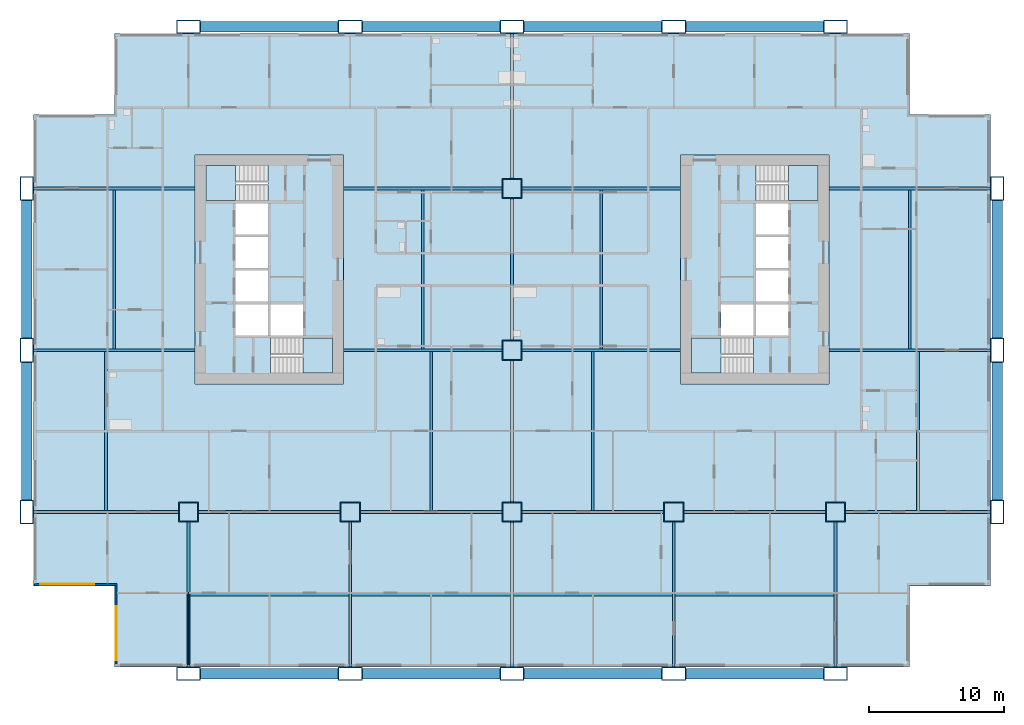
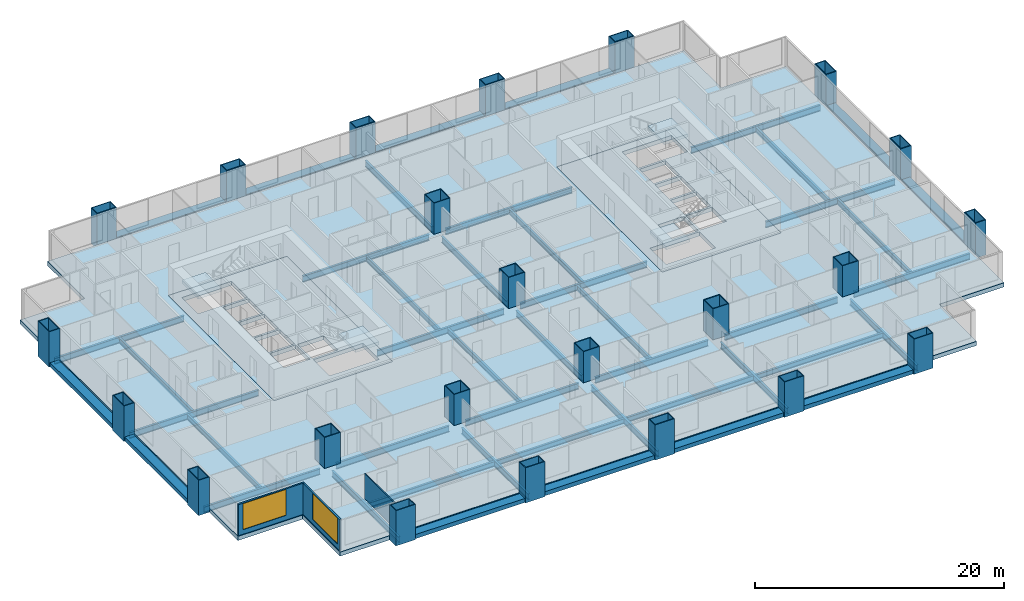
# One storey, part 1 of 13: 46 beams, 23 columns, 7 slabs, 3 walls, 2 windows, 2 openings, 4 elements without a shape of their own.
"""IFC4 building model written with IfcOpenShell, lengths in metres."""

from ifc_helpers import new_model, si_unit, direction, frame, frame_2d, origin, origin_2d, place, context, subcontext, project, spatial, polyline, rectangle, hollow_rectangle, i_section, outline, extrude, material, layer, layer_set, material_profile, profile_set, type_object, element, fill, aggregate, save


model = new_model("IFC4")

# Units and contexts
model_context = context("Model", 3, precision=1e-05, world=origin(), true_north=direction((0.0, 1.0)))
body_context = subcontext(model_context, "Body", "Model", "MODEL_VIEW")
ifc_project = project(units=[si_unit("LENGTHUNIT", "METRE"), si_unit("AREAUNIT", "SQUARE_METRE"), si_unit("VOLUMEUNIT", "CUBIC_METRE"), si_unit("PLANEANGLEUNIT", "RADIAN"), si_unit("MASSUNIT", "GRAM", prefix="KILO")], contexts=[model_context])

# Site, building, storey
site_placement = place(None, origin())
site = spatial("IfcSite", under=ifc_project, at=site_placement, CompositionType="ELEMENT")
building_placement = place(site_placement, origin())
building = spatial("IfcBuilding", under=site, at=building_placement, Name="Kitamizu Gate Tower and Museum", CompositionType="ELEMENT")
storey_placement = place(building_placement, frame((0.0, 0.0, 36.89990234375)))
storey = spatial("IfcBuildingStorey", under=building, at=storey_placement, Name="L07", CompositionType="ELEMENT", Elevation=36.89990234375)

# Columns
ifc_material_1 = material(Name="Steel SM490A bronze coated", Category="steel")
ifc_material_profile_1 = material_profile(ifc_material_1, hollow_rectangle(XDim=1.800048828125, YDim=1.0, WallThickness=0.070068359375, at=origin_2d()), Name="BOX 1800x1000x70")
ifc_profile_set_1 = profile_set([ifc_material_profile_1], Name="Steel SM490A bronze coated")
column_type_1 = type_object("IfcColumnType", Name="Exoskeleton column XC2 BOX 1800x1000x70", PredefinedType="COLUMN", material=ifc_profile_set_1)
for number, where, z_axis, x_axis, name in (
    (1, (0.0, 12.0, -0.39990234375), (0.0, 0.0, 1.0), (0.0, 1.0, 0.0), "Column XC2 1B L07"),
    (2, (0.0, 24.0, -0.39990234375), (0.0, 0.0, 1.0), (0.0, 1.0, 0.0), "Column XC2 1C L07"),
    (3, (0.0, 36.0, -0.39990234375), (0.0, 0.0, 1.0), (0.0, 1.0, 0.0), "Column XC2 1D L07"),
    (4, (12.0, 0.0, -0.39990234375), (0.0, 0.0, 1.0), (1.0, 0.0, 0.0), "Column XC2 2A L07"),
    (5, (12.0, 48.0, -0.39990234375), (0.0, 0.0, 1.0), (1.0, 0.0, 0.0), "Column XC2 2E L07"),
    (6, (24.0, 0.0, -0.39990234375), (0.0, 0.0, 1.0), (1.0, 0.0, 0.0), "Column XC2 3A L07"),
    (7, (24.0, 48.0, -0.39990234375), (0.0, 0.0, 1.0), (1.0, 0.0, 0.0), "Column XC2 3E L07"),
    (8, (36.0, 0.0, -0.39990234375), (0.0, 0.0, 1.0), (1.0, 0.0, 0.0), "Column XC2 4A L07"),
    (9, (36.0, 48.0, -0.39990234375), (0.0, 0.0, 1.0), (1.0, 0.0, 0.0), "Column XC2 4E L07"),
    (10, (48.0, 0.0, -0.39990234375), (0.0, 0.0, 1.0), (1.0, 0.0, 0.0), "Column XC2 5A L07"),
    (11, (48.0, 48.0, -0.39990234375), (0.0, 0.0, 1.0), (1.0, 0.0, 0.0), "Column XC2 5E L07"),
    (12, (60.0, 0.0, -0.39990234375), (0.0, 0.0, 1.0), (1.0, 0.0, 0.0), "Column XC2 6A L07"),
    (13, (60.0, 48.0, -0.39990234375), (0.0, 0.0, 1.0), (1.0, 0.0, 0.0), "Column XC2 6E L07"),
    (14, (72.0, 12.0, -0.39990234375), (0.0, 0.0, 1.0), (0.0, 1.0, 0.0), "Column XC2 7B L07"),
    (15, (72.0, 24.0, -0.39990234375), (0.0, 0.0, 1.0), (0.0, 1.0, 0.0), "Column XC2 7C L07"),
    (16, (72.0, 36.0, -0.39990234375), (0.0, 0.0, 1.0), (0.0, 1.0, 0.0), "Column XC2 7D L07"),
):
    element("IfcColumn", number, at=place(storey_placement, frame(where, z_axis=z_axis, x_axis=x_axis)), inside=storey, type_object=column_type_1, Name=name, PredefinedType="COLUMN", context=body_context, shape_type="SweptSolid", body=[
        extrude(hollow_rectangle(XDim=1.800048828125, YDim=1.0, WallThickness=0.070068359375, at=origin_2d()), origin(), (0.0, 0.0, 1.0), 3.449951171875),
    ])
ifc_material_2 = material(Name="Steel SM490A", Category="steel")
ifc_material_profile_2 = material_profile(ifc_material_2, hollow_rectangle(XDim=1.5, YDim=1.5, WallThickness=0.06494140625, at=origin_2d()), Name="BOX 1500x1500x65")
ifc_profile_set_2 = profile_set([ifc_material_profile_2], Name="Steel SM490A")
column_type_2 = type_object("IfcColumnType", Name="Interior column IC2 BOX 1500x1500x65", PredefinedType="COLUMN", material=ifc_profile_set_2)
for number, where, z_axis, x_axis, name in (
    (17, (12.0, 12.0, 0.0), (0.0, 0.0, 1.0), (1.0, 0.0, 0.0), "Column IC2 2B L07"),
    (18, (24.0, 12.0, 0.0), (0.0, 0.0, 1.0), (1.0, 0.0, 0.0), "Column IC2 3B L07"),
    (19, (36.0, 12.0, 0.0), (0.0, 0.0, 1.0), (1.0, 0.0, 0.0), "Column IC2 4B L07"),
    (20, (36.0, 24.0, 0.0), (0.0, 0.0, 1.0), (1.0, 0.0, 0.0), "Column IC2 4C L07"),
    (21, (36.0, 36.0, 0.0), (0.0, 0.0, 1.0), (1.0, 0.0, 0.0), "Column IC2 4D L07"),
    (22, (48.0, 12.0, 0.0), (0.0, 0.0, 1.0), (1.0, 0.0, 0.0), "Column IC2 5B L07"),
    (23, (60.0, 12.0, 0.0), (0.0, 0.0, 1.0), (1.0, 0.0, 0.0), "Column IC2 6B L07"),
):
    element("IfcColumn", number, at=place(storey_placement, frame(where, z_axis=z_axis, x_axis=x_axis)), inside=storey, type_object=column_type_2, Name=name, PredefinedType="COLUMN", context=body_context, shape_type="SweptSolid", body=[
        extrude(hollow_rectangle(XDim=1.5, YDim=1.5, WallThickness=0.06494140625, at=origin_2d()), origin(), (0.0, 0.0, 1.0), 3.050048828125),
    ])

# Beams
ifc_material_3 = material(Name="Steel SM490A bronze coated", Category="steel")
ifc_material_profile_3 = material_profile(ifc_material_3, hollow_rectangle(XDim=0.800048828125, YDim=0.39990234375, WallThickness=0.0400390625, at=origin_2d()), Name="BOX 800x400x40")
ifc_profile_set_3 = profile_set([ifc_material_profile_3], Name="Steel SM490A bronze coated")
beam_type_1 = type_object("IfcBeamType", Name="Exoskeleton spandrel beam SB1 BOX 800x400x40", PredefinedType="SPANDREL", material=ifc_profile_set_3)
for number, where, z_axis, x_axis, name in (
    (24, (12.89990234375, 0.0, -0.199951171875), (1.0, 0.0, 0.0), (0.0, 1.0, 0.0), "Exoskeleton spandrel beam south 12 L07"),
    (25, (24.89990234375, 0.0, -0.199951171875), (1.0, 0.0, 0.0), (0.0, 1.0, 0.0), "Exoskeleton spandrel beam south 24 L07"),
    (26, (36.89990234375, 0.0, -0.199951171875), (1.0, 0.0, 0.0), (0.0, 1.0, 0.0), "Exoskeleton spandrel beam south 36 L07"),
    (27, (48.89990234375, 0.0, -0.199951171875), (1.0, 0.0, 0.0), (0.0, 1.0, 0.0), "Exoskeleton spandrel beam south 48 L07"),
    (28, (12.89990234375, 48.0, -0.199951171875), (1.0, 0.0, 0.0), (0.0, 1.0, 0.0), "Exoskeleton spandrel beam north 12 L07"),
    (29, (24.89990234375, 48.0, -0.199951171875), (1.0, 0.0, 0.0), (0.0, 1.0, 0.0), "Exoskeleton spandrel beam north 24 L07"),
    (30, (36.89990234375, 48.0, -0.199951171875), (1.0, 0.0, 0.0), (0.0, 1.0, 0.0), "Exoskeleton spandrel beam north 36 L07"),
    (31, (48.89990234375, 48.0, -0.199951171875), (1.0, 0.0, 0.0), (0.0, 1.0, 0.0), "Exoskeleton spandrel beam north 48 L07"),
    (32, (0.0, 12.89990234375, -0.199951171875), (0.0, 1.0, 0.0), (-1.0, 0.0, 0.0), "Exoskeleton spandrel beam west 12 L07"),
    (33, (0.0, 24.89990234375, -0.199951171875), (0.0, 1.0, 0.0), (-1.0, 0.0, 0.0), "Exoskeleton spandrel beam west 24 L07"),
    (34, (72.0, 12.89990234375, -0.199951171875), (0.0, 1.0, 0.0), (-1.0, 0.0, 0.0), "Exoskeleton spandrel beam east 12 L07"),
    (35, (72.0, 24.89990234375, -0.199951171875), (0.0, 1.0, 0.0), (-1.0, 0.0, 0.0), "Exoskeleton spandrel beam east 24 L07"),
):
    element("IfcBeam", number, at=place(storey_placement, frame(where, z_axis=z_axis, x_axis=x_axis)), inside=storey, type_object=beam_type_1, Name=name, PredefinedType="SPANDREL", context=body_context, shape_type="SweptSolid", body=[
        extrude(hollow_rectangle(XDim=0.800048828125, YDim=0.39990234375, WallThickness=0.0400390625, at=origin_2d()), origin(), (0.0, 0.0, 1.0), 10.2001953125),
    ])
ifc_material_4 = material(Name="Steel SM490A", Category="steel")
ifc_material_profile_4 = material_profile(ifc_material_4, i_section(OverallWidth=0.199951171875, OverallDepth=0.5, WebThickness=0.010009765625, FlangeThickness=0.01611328125, FilletRadius=0.02001953125, at=origin_2d()), Name="H-500x200x10x16")
ifc_profile_set_4 = profile_set([ifc_material_profile_4], Name="Steel SM490A")
beam_type_2 = type_object("IfcBeamType", Name="Floor beam FB1 H 500x200x10x16", PredefinedType="BEAM", material=ifc_profile_set_4)
for number, where, z_axis, x_axis, name in (
    (36, (12.10009765625, 5.875, -0.64990234375), (1.0, 0.0, 0.0), (0.0, 1.0, 0.0), "Floor beam FB1 L07-1"),
    (37, (24.10009765625, 5.875, -0.64990234375), (1.0, 0.0, 0.0), (0.0, 1.0, 0.0), "Floor beam FB1 L07-2"),
    (38, (36.10009765625, 5.875, -0.64990234375), (1.0, 0.0, 0.0), (0.0, 1.0, 0.0), "Floor beam FB1 L07-3"),
    (39, (48.10009765625, 5.875, -0.64990234375), (1.0, 0.0, 0.0), (0.0, 1.0, 0.0), "Floor beam FB1 L07-4"),
    (40, (5.875, 12.10009765625, -0.64990234375), (0.0, 1.0, 0.0), (-1.0, 0.0, 0.0), "Floor beam FB1 L07-5"),
    (41, (30.0, 12.10009765625, -0.64990234375), (0.0, 1.0, 0.0), (-1.0, 0.0, 0.0), "Floor beam FB1 L07-6"),
    (42, (42.0, 12.10009765625, -0.64990234375), (0.0, 1.0, 0.0), (-1.0, 0.0, 0.0), "Floor beam FB1 L07-7"),
    (43, (66.125, 12.10009765625, -0.64990234375), (0.0, 1.0, 0.0), (-1.0, 0.0, 0.0), "Floor beam FB1 L07-8"),
    (44, (6.5, 24.10009765625, -0.64990234375), (0.0, 1.0, 0.0), (-1.0, 0.0, 0.0), "Floor beam FB1 L07-9"),
    (45, (29.375, 24.10009765625, -0.64990234375), (0.0, 1.0, 0.0), (-1.0, 0.0, 0.0), "Floor beam FB1 L07-10"),
    (46, (42.625, 24.10009765625, -0.64990234375), (0.0, 1.0, 0.0), (-1.0, 0.0, 0.0), "Floor beam FB1 L07-11"),
    (47, (65.5, 24.10009765625, -0.64990234375), (0.0, 1.0, 0.0), (-1.0, 0.0, 0.0), "Floor beam FB1 L07-12"),
):
    element("IfcBeam", number, at=place(storey_placement, frame(where, z_axis=z_axis, x_axis=x_axis)), inside=storey, type_object=beam_type_2, Name=name, PredefinedType="BEAM", context=body_context, shape_type="SweptSolid", body=[
        extrude(i_section(OverallWidth=0.199951171875, OverallDepth=0.5, WebThickness=0.010009765625, FlangeThickness=0.01611328125, FilletRadius=0.02001953125, at=origin_2d()), origin(), (0.0, 0.0, 1.0), 11.7998046875),
    ])
ifc_material_5 = material(Name="Steel SM490A", Category="steel")
ifc_material_profile_5 = material_profile(ifc_material_5, i_section(OverallWidth=0.199951171875, OverallDepth=0.60009765625, WebThickness=0.010986328125, FlangeThickness=0.01708984375, FilletRadius=0.02197265625, at=origin_2d()), Name="H-600x200x11x17")
ifc_profile_set_5 = profile_set([ifc_material_profile_5], Name="Steel SM490A")
beam_type_3 = type_object("IfcBeamType", Name="Floor girder FG1 H 600x200x11x17", PredefinedType="BEAM", material=ifc_profile_set_5)
for number, where, z_axis, x_axis, name in (
    (48, (12.0, 0.5, -0.699951171875), (0.0, 1.0, 0.0), (-1.0, 0.0, 0.0), "Floor girder FG1 x12 L07"),
    (49, (24.0, 0.5, -0.699951171875), (0.0, 1.0, 0.0), (-1.0, 0.0, 0.0), "Floor girder FG1 x24 L07"),
    (50, (36.0, 0.5, -0.699951171875), (0.0, 1.0, 0.0), (-1.0, 0.0, 0.0), "Floor girder FG1 x36 L07"),
):
    element("IfcBeam", number, at=place(storey_placement, frame(where, z_axis=z_axis, x_axis=x_axis)), inside=storey, type_object=beam_type_3, Name=name, PredefinedType="BEAM", context=body_context, shape_type="SweptSolid", body=[
        extrude(i_section(OverallWidth=0.199951171875, OverallDepth=0.60009765625, WebThickness=0.010986328125, FlangeThickness=0.01708984375, FilletRadius=0.02197265625, at=origin_2d()), origin(), (0.0, 0.0, 1.0), 10.75),
    ])
for number, where, z_axis, x_axis, name in (
    (51, (36.0, 12.75, -0.699951171875), (0.0, 1.0, 0.0), (-1.0, 0.0, 0.0), "Floor girder FG1 x36 L07"),
    (52, (36.0, 24.75, -0.699951171875), (0.0, 1.0, 0.0), (-1.0, 0.0, 0.0), "Floor girder FG1 x36 L07"),
):
    element("IfcBeam", number, at=place(storey_placement, frame(where, z_axis=z_axis, x_axis=x_axis)), inside=storey, type_object=beam_type_3, Name=name, PredefinedType="BEAM", context=body_context, shape_type="SweptSolid", body=[
        extrude(i_section(OverallWidth=0.199951171875, OverallDepth=0.60009765625, WebThickness=0.010986328125, FlangeThickness=0.01708984375, FilletRadius=0.02197265625, at=origin_2d()), origin(), (0.0, 0.0, 1.0), 10.5),
    ])
for number, where, z_axis, x_axis, name in (
    (53, (36.0, 36.75, -0.699951171875), (0.0, 1.0, 0.0), (-1.0, 0.0, 0.0), "Floor girder FG1 x36 L07"),
    (54, (48.0, 0.5, -0.699951171875), (0.0, 1.0, 0.0), (-1.0, 0.0, 0.0), "Floor girder FG1 x48 L07"),
    (55, (60.0, 0.5, -0.699951171875), (0.0, 1.0, 0.0), (-1.0, 0.0, 0.0), "Floor girder FG1 x60 L07"),
    (56, (0.5, 12.0, -0.699951171875), (1.0, 0.0, 0.0), (0.0, 1.0, 0.0), "Floor girder FG1 y12 L07"),
):
    element("IfcBeam", number, at=place(storey_placement, frame(where, z_axis=z_axis, x_axis=x_axis)), inside=storey, type_object=beam_type_3, Name=name, PredefinedType="BEAM", context=body_context, shape_type="SweptSolid", body=[
        extrude(i_section(OverallWidth=0.199951171875, OverallDepth=0.60009765625, WebThickness=0.010986328125, FlangeThickness=0.01708984375, FilletRadius=0.02197265625, at=origin_2d()), origin(), (0.0, 0.0, 1.0), 10.75),
    ])
for number, where, z_axis, x_axis, name in (
    (57, (12.75, 12.0, -0.699951171875), (1.0, 0.0, 0.0), (0.0, 1.0, 0.0), "Floor girder FG1 y12 L07"),
    (58, (24.75, 12.0, -0.699951171875), (1.0, 0.0, 0.0), (0.0, 1.0, 0.0), "Floor girder FG1 y12 L07"),
    (59, (36.75, 12.0, -0.699951171875), (1.0, 0.0, 0.0), (0.0, 1.0, 0.0), "Floor girder FG1 y12 L07"),
    (60, (48.75, 12.0, -0.699951171875), (1.0, 0.0, 0.0), (0.0, 1.0, 0.0), "Floor girder FG1 y12 L07"),
):
    element("IfcBeam", number, at=place(storey_placement, frame(where, z_axis=z_axis, x_axis=x_axis)), inside=storey, type_object=beam_type_3, Name=name, PredefinedType="BEAM", context=body_context, shape_type="SweptSolid", body=[
        extrude(i_section(OverallWidth=0.199951171875, OverallDepth=0.60009765625, WebThickness=0.010986328125, FlangeThickness=0.01708984375, FilletRadius=0.02197265625, at=origin_2d()), origin(), (0.0, 0.0, 1.0), 10.5),
    ])
beam_1_placement = place(storey_placement, frame((60.75, 12.0, -0.699951171875), z_axis=(1.0, 0.0, 0.0), x_axis=(0.0, 1.0, 0.0)))
element("IfcBeam", 61, at=beam_1_placement, inside=storey, type_object=beam_type_3, Name="Floor girder FG1 y12 L07", PredefinedType="BEAM", context=body_context, shape_type="SweptSolid", body=[
    extrude(i_section(OverallWidth=0.199951171875, OverallDepth=0.60009765625, WebThickness=0.010986328125, FlangeThickness=0.01708984375, FilletRadius=0.02197265625, at=origin_2d()), origin(), (0.0, 0.0, 1.0), 10.75),
])
beam_2_placement = place(storey_placement, frame((0.5, 24.0, -0.699951171875), z_axis=(1.0, 0.0, 0.0), x_axis=(0.0, 1.0, 0.0)))
element("IfcBeam", 62, at=beam_2_placement, inside=storey, type_object=beam_type_3, Name="Floor girder FG1 y24 L07", PredefinedType="BEAM", context=body_context, shape_type="SweptSolid", body=[
    extrude(i_section(OverallWidth=0.199951171875, OverallDepth=0.60009765625, WebThickness=0.010986328125, FlangeThickness=0.01708984375, FilletRadius=0.02197265625, at=origin_2d()), origin(), (0.0, 0.0, 1.0), 12.0),
])
for number, where, z_axis, x_axis, name in (
    (63, (23.5, 24.0, -0.699951171875), (1.0, 0.0, 0.0), (0.0, 1.0, 0.0), "Floor girder FG1 y24 L07"),
    (64, (36.75, 24.0, -0.699951171875), (1.0, 0.0, 0.0), (0.0, 1.0, 0.0), "Floor girder FG1 y24 L07"),
):
    element("IfcBeam", number, at=place(storey_placement, frame(where, z_axis=z_axis, x_axis=x_axis)), inside=storey, type_object=beam_type_3, Name=name, PredefinedType="BEAM", context=body_context, shape_type="SweptSolid", body=[
        extrude(i_section(OverallWidth=0.199951171875, OverallDepth=0.60009765625, WebThickness=0.010986328125, FlangeThickness=0.01708984375, FilletRadius=0.02197265625, at=origin_2d()), origin(), (0.0, 0.0, 1.0), 11.75),
    ])
for number, where, z_axis, x_axis, name in (
    (65, (59.5, 24.0, -0.699951171875), (1.0, 0.0, 0.0), (0.0, 1.0, 0.0), "Floor girder FG1 y24 L07"),
    (66, (0.5, 36.0, -0.699951171875), (1.0, 0.0, 0.0), (0.0, 1.0, 0.0), "Floor girder FG1 y36 L07"),
):
    element("IfcBeam", number, at=place(storey_placement, frame(where, z_axis=z_axis, x_axis=x_axis)), inside=storey, type_object=beam_type_3, Name=name, PredefinedType="BEAM", context=body_context, shape_type="SweptSolid", body=[
        extrude(i_section(OverallWidth=0.199951171875, OverallDepth=0.60009765625, WebThickness=0.010986328125, FlangeThickness=0.01708984375, FilletRadius=0.02197265625, at=origin_2d()), origin(), (0.0, 0.0, 1.0), 12.0),
    ])
for number, where, z_axis, x_axis, name in (
    (67, (23.5, 36.0, -0.699951171875), (1.0, 0.0, 0.0), (0.0, 1.0, 0.0), "Floor girder FG1 y36 L07"),
    (68, (36.75, 36.0, -0.699951171875), (1.0, 0.0, 0.0), (0.0, 1.0, 0.0), "Floor girder FG1 y36 L07"),
):
    element("IfcBeam", number, at=place(storey_placement, frame(where, z_axis=z_axis, x_axis=x_axis)), inside=storey, type_object=beam_type_3, Name=name, PredefinedType="BEAM", context=body_context, shape_type="SweptSolid", body=[
        extrude(i_section(OverallWidth=0.199951171875, OverallDepth=0.60009765625, WebThickness=0.010986328125, FlangeThickness=0.01708984375, FilletRadius=0.02197265625, at=origin_2d()), origin(), (0.0, 0.0, 1.0), 11.75),
    ])
beam_3_placement = place(storey_placement, frame((59.5, 36.0, -0.699951171875), z_axis=(1.0, 0.0, 0.0), x_axis=(0.0, 1.0, 0.0)))
element("IfcBeam", 69, at=beam_3_placement, inside=storey, type_object=beam_type_3, Name="Floor girder FG1 y36 L07", PredefinedType="BEAM", context=body_context, shape_type="SweptSolid", body=[
    extrude(i_section(OverallWidth=0.199951171875, OverallDepth=0.60009765625, WebThickness=0.010986328125, FlangeThickness=0.01708984375, FilletRadius=0.02197265625, at=origin_2d()), origin(), (0.0, 0.0, 1.0), 12.0),
])

# Slabs
ifc_material_6 = material(Name="Concrete Fc36", Category="concrete")
ifc_layer_1 = layer(ifc_material_6, 0.39990234375)
ifc_layer_set_1 = layer_set([ifc_layer_1], Name="Concrete Fc36")
slab_type_1 = type_object("IfcSlabType", Name="Core floor slab 400", PredefinedType="FLOOR", material=ifc_layer_set_1)
slab_1_placement = place(storey_placement, frame((0.0, 0.0, -0.39990234375)))
element("IfcSlab", 70, at=slab_1_placement, inside=storey, type_object=slab_type_1, Name="Core floor slab W", PredefinedType="FLOOR", context=body_context, shape_type="SweptSolid", body=[
    extrude(outline(polyline([(12.5, 21.5), (23.5, 21.5), (23.5, 38.5), (12.5, 38.5), (12.5, 21.5)]), holes=[polyline([(15.5, 25.10009765625), (17.89990234375, 25.10009765625), (17.89990234375, 27.39990234375), (15.5, 27.39990234375), (15.5, 25.10009765625)]), polyline([(15.5, 27.60009765625), (17.89990234375, 27.60009765625), (17.89990234375, 29.89990234375), (15.5, 29.89990234375), (15.5, 27.60009765625)]), polyline([(15.5, 30.10009765625), (17.89990234375, 30.10009765625), (17.89990234375, 32.39990234375), (15.5, 32.39990234375), (15.5, 30.10009765625)]), polyline([(15.5, 32.60009765625), (17.89990234375, 32.60009765625), (17.89990234375, 34.89990234375), (15.5, 34.89990234375), (15.5, 32.60009765625)]), polyline([(18.10009765625, 25.10009765625), (20.5, 25.10009765625), (20.5, 27.39990234375), (18.10009765625, 27.39990234375), (18.10009765625, 25.10009765625)]), polyline([(18.1005859375, 22.300048828125), (22.699951171875, 22.300048828125), (22.699951171875, 24.89990234375), (18.1005859375, 24.89990234375), (18.1005859375, 22.300048828125)]), polyline([(13.300048828125, 35.10009765625), (17.8994140625, 35.10009765625), (17.8994140625, 37.699951171875), (13.300048828125, 37.699951171875), (13.300048828125, 35.10009765625)])]), origin(), (0.0, 0.0, 1.0), 0.39990234375),
])
slab_2_placement = place(storey_placement, frame((0.0, 0.0, -0.39990234375)))
element("IfcSlab", 71, at=slab_2_placement, inside=storey, type_object=slab_type_1, Name="Core floor slab E", PredefinedType="FLOOR", context=body_context, shape_type="SweptSolid", body=[
    extrude(outline(polyline([(48.5, 21.5), (59.5, 21.5), (59.5, 38.5), (48.5, 38.5), (48.5, 21.5)]), holes=[polyline([(54.10009765625, 25.10009765625), (56.5, 25.10009765625), (56.5, 27.39990234375), (54.10009765625, 27.39990234375), (54.10009765625, 25.10009765625)]), polyline([(54.10009765625, 27.60009765625), (56.5, 27.60009765625), (56.5, 29.89990234375), (54.10009765625, 29.89990234375), (54.10009765625, 27.60009765625)]), polyline([(54.10009765625, 30.10009765625), (56.5, 30.10009765625), (56.5, 32.39990234375), (54.10009765625, 32.39990234375), (54.10009765625, 30.10009765625)]), polyline([(54.10009765625, 32.60009765625), (56.5, 32.60009765625), (56.5, 34.89990234375), (54.10009765625, 34.89990234375), (54.10009765625, 32.60009765625)]), polyline([(51.5, 25.10009765625), (53.89990234375, 25.10009765625), (53.89990234375, 27.39990234375), (51.5, 27.39990234375), (51.5, 25.10009765625)]), polyline([(49.300048828125, 22.300048828125), (53.8994140625, 22.300048828125), (53.8994140625, 24.89990234375), (49.300048828125, 24.89990234375), (49.300048828125, 22.300048828125)]), polyline([(54.1005859375, 35.10009765625), (58.699951171875, 35.10009765625), (58.699951171875, 37.699951171875), (54.1005859375, 37.699951171875), (54.1005859375, 35.10009765625)])]), origin(), (0.0, 0.0, 1.0), 0.39990234375),
])
ifc_material_7 = material(Name="Concrete Fc36", Category="concrete")
ifc_layer_2 = layer(ifc_material_7, 0.39990234375)
ifc_layer_set_2 = layer_set([ifc_layer_2], Name="Concrete Fc36")
slab_type_2 = type_object("IfcSlabType", Name="Post tensioned flat slab 400", PredefinedType="FLOOR", material=ifc_layer_set_2)
slab_3_placement = place(storey_placement, frame((0.0, 0.0, -0.39990234375)))
element("IfcSlab", 72, at=slab_3_placement, inside=storey, type_object=slab_type_2, Name="Floor slab L07-1", PredefinedType="FLOOR", context=body_context, shape_type="SweptSolid", body=[
    extrude(outline(polyline([(0.5, 6.5), (0.5, 41.5), (6.5, 41.5), (6.5, 47.5), (65.5, 47.5), (65.5, 41.5), (71.5, 41.5), (71.5, 6.5), (65.5, 6.5), (65.5, 0.5), (6.5, 0.5), (6.5, 6.5), (0.5, 6.5)]), holes=[polyline([(59.5, 38.5), (48.5, 38.5), (48.5, 21.5), (59.5, 21.5), (59.5, 38.5)]), polyline([(12.5, 38.5), (12.5, 21.5), (23.5, 21.5), (23.5, 38.5), (12.5, 38.5)])]), origin(), (0.0, 0.0, 1.0), 0.39990234375),
])

# Stair, slab
ifc_material_8 = material(Name="Concrete Fc42", Category="concrete")
stair_type = type_object("IfcStairType", Name="Exit stair 1200 wide 192 rise 300 going", PredefinedType="HALF_TURN_STAIR", material=ifc_material_8)
stair_1_placement = place(storey_placement, origin())
stair_1 = element("IfcStair", 73, at=stair_1_placement, inside=storey, type_object=stair_type, Name="Exit stair ST1", PredefinedType="HALF_TURN_STAIR")
ifc_material_9 = material(Name="Concrete Fc42", Category="concrete")
ifc_layer_3 = layer(ifc_material_9, 0.300048828125)
ifc_layer_set_3 = layer_set([ifc_layer_3], Name="Concrete Fc42")
slab_type_3 = type_object("IfcSlabType", Name="Stair landing 300", PredefinedType="LANDING", material=ifc_layer_set_3)
slab_4_placement = place(storey_placement, frame((0.0, 0.0, 1.425048828125)))
slab_4 = element("IfcSlab", 74, at=slab_4_placement, type_object=slab_type_3, Name="ST1 landing 1", PredefinedType="LANDING", context=body_context, shape_type="SweptSolid", body=[
    extrude(outline(polyline([(20.5, 22.300048828125), (22.699951171875, 22.300048828125), (22.699951171875, 24.89990234375), (20.5, 24.89990234375), (20.5, 22.300048828125)])), origin(), (0.0, 0.0, 1.0), 0.300048828125),
])
aggregate(stair_1, [slab_4])

stair_2_placement = place(storey_placement, origin())
stair_2 = element("IfcStair", 75, at=stair_2_placement, inside=storey, type_object=stair_type, Name="Exit stair ST2", PredefinedType="HALF_TURN_STAIR")
slab_5_placement = place(storey_placement, frame((0.0, 0.0, 1.425048828125)))
slab_5 = element("IfcSlab", 76, at=slab_5_placement, type_object=slab_type_3, Name="ST2 landing 1", PredefinedType="LANDING", context=body_context, shape_type="SweptSolid", body=[
    extrude(outline(polyline([(13.300048828125, 35.10009765625), (15.5, 35.10009765625), (15.5, 37.699951171875), (13.300048828125, 37.699951171875), (13.300048828125, 35.10009765625)])), origin(), (0.0, 0.0, 1.0), 0.300048828125),
])
aggregate(stair_2, [slab_5])

stair_3_placement = place(storey_placement, origin())
stair_3 = element("IfcStair", 77, at=stair_3_placement, inside=storey, type_object=stair_type, Name="Exit stair ST3", PredefinedType="HALF_TURN_STAIR")
slab_6_placement = place(storey_placement, frame((0.0, 0.0, 1.425048828125)))
slab_6 = element("IfcSlab", 78, at=slab_6_placement, type_object=slab_type_3, Name="ST3 landing 1", PredefinedType="LANDING", context=body_context, shape_type="SweptSolid", body=[
    extrude(outline(polyline([(49.300048828125, 22.300048828125), (51.5, 22.300048828125), (51.5, 24.89990234375), (49.300048828125, 24.89990234375), (49.300048828125, 22.300048828125)])), origin(), (0.0, 0.0, 1.0), 0.300048828125),
])
aggregate(stair_3, [slab_6])

stair_4_placement = place(storey_placement, origin())
stair_4 = element("IfcStair", 79, at=stair_4_placement, inside=storey, type_object=stair_type, Name="Exit stair ST4", PredefinedType="HALF_TURN_STAIR")
slab_7_placement = place(storey_placement, frame((0.0, 0.0, 1.425048828125)))
slab_7 = element("IfcSlab", 80, at=slab_7_placement, type_object=slab_type_3, Name="ST4 landing 1", PredefinedType="LANDING", context=body_context, shape_type="SweptSolid", body=[
    extrude(outline(polyline([(56.5, 35.10009765625), (58.699951171875, 35.10009765625), (58.699951171875, 37.699951171875), (56.5, 37.699951171875), (56.5, 35.10009765625)])), origin(), (0.0, 0.0, 1.0), 0.300048828125),
])
aggregate(stair_4, [slab_7])

# Wall
ifc_material_10 = material(Name="Gypsum board on galvanised stud")
ifc_layer_4 = layer(ifc_material_10, 0.10009765625)
ifc_layer_set_4 = layer_set([ifc_layer_4], Name="Gypsum board on galvanised stud")
wall_type_1 = type_object("IfcWallType", Name="Partition 100 NOT RATED", PredefinedType="PARTITIONING", material=ifc_layer_set_4)
wall_1_placement = place(storey_placement, frame((12.0, 0.719970703125, 0.0), z_axis=(0.0, 0.0, 1.0), x_axis=(0.0, 1.0, 0.0)))
element("IfcWall", 81, at=wall_1_placement, inside=storey, type_object=wall_type_1, Name="Partition L07-001", PredefinedType="PARTITIONING", context=body_context, shape_type="SweptSolid", body=[
    extrude(rectangle(XDim=5.280029296875, YDim=0.10009765625, at=frame_2d((2.64013671875, 0.0))), origin(), (0.0, 0.0, 1.0), 2.4501953125),
])

# Wall, opening, window
ifc_material_11 = material(Name="Bronze anodised aluminium frame with insulated spandrel and tinted glass", Category="aluminium")
ifc_layer_5 = layer(ifc_material_11, 0.14990234375)
ifc_layer_set_5 = layer_set([ifc_layer_5], Name="Bronze anodised aluminium frame with insulated spandrel and tinted glass")
wall_type_2 = type_object("IfcWallType", Name="WINDOW WALL 150 BRONZE FRAME EI 30", PredefinedType="ELEMENTEDWALL", material=ifc_layer_set_5)
wall_2_placement = place(storey_placement, frame((0.56005859375, 6.635009765625, 0.0), z_axis=(0.0, 0.0, 1.0), x_axis=(1.0, 0.0, 0.0)))
wall_2 = element("IfcWall", 82, at=wall_2_placement, inside=storey, type_object=wall_type_2, Name="Window wall south L07", PredefinedType="ELEMENTEDWALL", context=body_context, shape_type="SweptSolid", body=[
    extrude(rectangle(XDim=6.14990234375, YDim=0.14990234375, at=frame_2d((3.074951171875, 0.0))), origin(), (0.0, 0.0, 1.0), 3.050048828125),
])
opening_1_placement = place(wall_2_placement, frame((0.43994140625, 0.0, 0.449951171875)))
opening_1 = element("IfcOpeningElement", 83, at=opening_1_placement, cuts=wall_2, Name="Opening W16", PredefinedType="OPENING", context=body_context, shape_type="SweptSolid", body=[
    extrude(rectangle(XDim=4.0, YDim=2.550048828125, at=frame_2d((2.0, 1.27490234375))), frame((0.0, 0.0849609375, 0.0), z_axis=(0.0, -1.0, 0.0), x_axis=(1.0, 0.0, 0.0)), (0.0, 0.0, 1.0), 0.169921875),
])
ifc_material_12 = material(Name="Bronze anodised aluminium frame, tinted triple glazing", Category="aluminium")
window_type = type_object("IfcWindowType", Name="WINDOW 4000 x 2550 SILL 450", PartitioningType="SINGLE_PANEL", PredefinedType="WINDOW", material=ifc_material_12)
window_1_placement = place(opening_1_placement, origin())
window_1 = element("IfcWindow", 84, at=window_1_placement, inside=storey, type_object=window_type, Name="Window W16 L07", OverallHeight=2.550048828125, OverallWidth=4.0, PartitioningType="SINGLE_PANEL", PredefinedType="WINDOW", context=body_context, shape_type="SweptSolid", body=[
    extrude(rectangle(XDim=4.0, YDim=2.550048828125, at=frame_2d((2.0, 1.27490234375))), frame((0.0, 0.030029296875, 0.0), z_axis=(0.0, -1.0, 0.0), x_axis=(1.0, 0.0, 0.0)), (0.0, 0.0, 1.0), 0.06005859375),
])
fill(opening_1, window_1)

wall_3_placement = place(storey_placement, frame((6.635009765625, 0.7099609375, 0.0), z_axis=(0.0, 0.0, 1.0), x_axis=(0.0, 1.0, 0.0)))
wall_3 = element("IfcWall", 85, at=wall_3_placement, inside=storey, type_object=wall_type_2, Name="Window wall west L07", PredefinedType="ELEMENTEDWALL", context=body_context, shape_type="SweptSolid", body=[
    extrude(rectangle(XDim=5.85009765625, YDim=0.14990234375, at=frame_2d((2.925048828125, 0.0))), origin(), (0.0, 0.0, 1.0), 3.050048828125),
])
opening_2_placement = place(wall_3_placement, frame((0.2900390625, 0.0, 0.449951171875)))
opening_2 = element("IfcOpeningElement", 86, at=opening_2_placement, cuts=wall_3, Name="Opening W16", PredefinedType="OPENING", context=body_context, shape_type="SweptSolid", body=[
    extrude(rectangle(XDim=4.0, YDim=2.550048828125, at=frame_2d((2.0, 1.27490234375))), frame((0.0, 0.0849609375, 0.0), z_axis=(0.0, -1.0, 0.0), x_axis=(1.0, 0.0, 0.0)), (0.0, 0.0, 1.0), 0.169921875),
])
window_2_placement = place(opening_2_placement, origin())
window_2 = element("IfcWindow", 87, at=window_2_placement, inside=storey, type_object=window_type, Name="Window W16 L07", OverallHeight=2.550048828125, OverallWidth=4.0, PartitioningType="SINGLE_PANEL", PredefinedType="WINDOW", context=body_context, shape_type="SweptSolid", body=[
    extrude(rectangle(XDim=4.0, YDim=2.550048828125, at=frame_2d((2.0, 1.27490234375))), frame((0.0, 0.030029296875, 0.0), z_axis=(0.0, -1.0, 0.0), x_axis=(1.0, 0.0, 0.0)), (0.0, 0.0, 1.0), 0.06005859375),
])
fill(opening_2, window_2)

save(model, "model.ifc")
